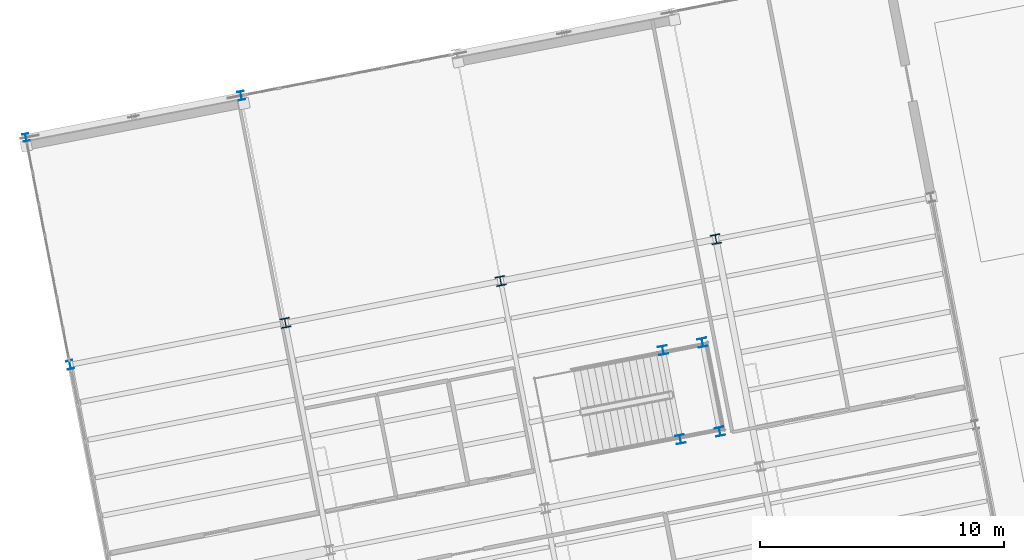
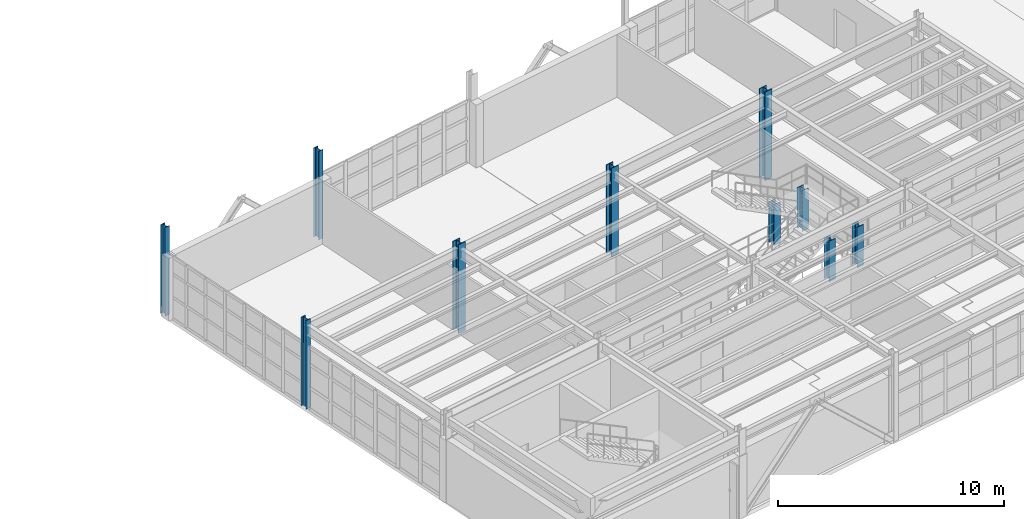
# One storey, part 2 of 109: 10 columns.
"""IFC4 building model written with IfcOpenShell, lengths in metres."""

from ifc_helpers import new_model, si_unit, direction, frame, origin, origin_2d, place, context, subcontext, project, spatial, i_section, extrude, material, material_profile, profile_set, type_object, element, save


model = new_model("IFC4")

# Units and contexts
model_context = context("Model", 3, precision=1e-05, world=origin(), true_north=direction((0.0, 1.0)))
body_context = subcontext(model_context, "Body", "Model", "MODEL_VIEW")
ifc_project = project(units=[si_unit("LENGTHUNIT", "METRE"), si_unit("AREAUNIT", "SQUARE_METRE"), si_unit("VOLUMEUNIT", "CUBIC_METRE"), si_unit("PLANEANGLEUNIT", "RADIAN"), si_unit("MASSUNIT", "GRAM", prefix="KILO")], contexts=[model_context])

# Site, building, storey
site_placement = place(None, origin())
site = spatial("IfcSite", under=ifc_project, at=site_placement, CompositionType="ELEMENT")
building_placement = place(site_placement, origin())
building = spatial("IfcBuilding", under=site, at=building_placement, Name="Vireo Bluff Cable Station", CompositionType="ELEMENT")
storey_placement = place(building_placement, frame((0.0, 0.0, 4.800048828125)))
storey = spatial("IfcBuildingStorey", under=building, at=storey_placement, Name="L01", CompositionType="ELEMENT", Elevation=4.800048828125)

# Columns
ifc_material = material(Name="Steel ASTM A992 Gr. 50", Category="steel")
ifc_material_profile_1 = material_profile(ifc_material, i_section(OverallWidth=0.39892578125, OverallDepth=0.385986328125, WebThickness=0.02099609375, FlangeThickness=0.033203125, FilletRadius=0.014892578125, at=origin_2d()), Name="W14X176")
ifc_profile_set_1 = profile_set([ifc_material_profile_1], Name="Steel ASTM A992 Gr. 50")
column_type_1 = type_object("IfcColumnType", Name="COL-W14X176", PredefinedType="COLUMN", material=ifc_profile_set_1)
column_1_placement = place(storey_placement, frame((23.5439453125, 27.58544921875, 0.0), z_axis=(0.0, 0.0, 1.0), x_axis=(0.981627183448, 0.190808995377, 0.0)))
element("IfcColumn", 1, at=column_1_placement, inside=storey, type_object=column_type_1, Name="V5 L01 column 359", PredefinedType="COLUMN", context=body_context, shape_type="SweptSolid", body=[
    extrude(i_section(OverallWidth=0.39892578125, OverallDepth=0.385986328125, WebThickness=0.02099609375, FlangeThickness=0.033203125, FilletRadius=0.014892578125, at=origin_2d()), origin(), (0.0, 0.0, 1.0), 4.800048828125),
])
ifc_material_profile_2 = material_profile(ifc_material, i_section(OverallWidth=0.40087890625, OverallDepth=0.39404296875, WebThickness=0.022705078125, FlangeThickness=0.03662109375, FilletRadius=0.014892578125, at=origin_2d()), Name="W14X193")
ifc_profile_set_2 = profile_set([ifc_material_profile_2], Name="Steel ASTM A992 Gr. 50")
column_type_2 = type_object("IfcColumnType", Name="COL-W14X193", PredefinedType="COLUMN", material=ifc_profile_set_2)
for number, where, z_axis, x_axis, name in (
    (2, (14.709228515625, 25.8681640625, 0.0), (0.0, 0.0, 1.0), (0.981627183448, 0.190808995377, 0.0), "V5 L01 column 348"),
    (3, (32.378662109375, 29.302734375, 0.0), (0.0, 0.0, 1.0), (0.981627183448, 0.190808995377, 0.0), "V5 L01 column 370"),
):
    element("IfcColumn", number, at=place(storey_placement, frame(where, z_axis=z_axis, x_axis=x_axis)), inside=storey, type_object=column_type_2, Name=name, PredefinedType="COLUMN", context=body_context, shape_type="SweptSolid", body=[
        extrude(i_section(OverallWidth=0.40087890625, OverallDepth=0.39404296875, WebThickness=0.022705078125, FlangeThickness=0.03662109375, FilletRadius=0.014892578125, at=origin_2d()), origin(), (0.0, 0.0, 1.0), 4.800048828125),
    ])
ifc_material_profile_3 = material_profile(ifc_material, i_section(OverallWidth=0.367919921875, OverallDepth=0.35595703125, WebThickness=0.01123046875, FlangeThickness=0.01806640625, FilletRadius=0.014892578125, at=origin_2d()), Name="W14X90")
ifc_profile_set_3 = profile_set([ifc_material_profile_3], Name="Steel ASTM A992 Gr. 50")
column_type_3 = type_object("IfcColumnType", Name="COL-W14X90", PredefinedType="COLUMN", material=ifc_profile_set_3)
for number, where, z_axis, x_axis, name in (
    (4, (30.918212890625, 21.09326171875, 0.0), (0.0, 0.0, 1.0), (0.981627183448, 0.190808995377, 0.0), "ST-07 L01 landing support column 1"),
    (5, (32.537841796875, 21.408203125, 0.0), (0.0, 0.0, 1.0), (0.981627183448, 0.190808995377, 0.0), "ST-07 L01 landing support column 2"),
    (6, (30.208251953125, 24.744873046875, 0.0), (0.0, 0.0, 1.0), (0.981627183448, 0.190808995377, 0.0), "ST-07 L01 landing support column 3"),
    (7, (31.828125, 25.059814453125, 0.0), (0.0, 0.0, 1.0), (0.981627183448, 0.190808995377, 0.0), "ST-07 L01 landing support column 4"),
):
    element("IfcColumn", number, at=place(storey_placement, frame(where, z_axis=z_axis, x_axis=x_axis)), inside=storey, type_object=column_type_3, Name=name, PredefinedType="COLUMN", context=body_context, shape_type="SweptSolid", body=[
        extrude(i_section(OverallWidth=0.367919921875, OverallDepth=0.35595703125, WebThickness=0.01123046875, FlangeThickness=0.01806640625, FilletRadius=0.014892578125, at=origin_2d()), origin(), (0.0, 0.0, 1.0), 2.199951171875),
    ])
ifc_material_profile_4 = material_profile(ifc_material, i_section(OverallWidth=0.257080078125, OverallDepth=0.363037109375, WebThickness=0.012939453125, FlangeThickness=0.021728515625, FilletRadius=0.014892578125, at=origin_2d()), Name="W14X82")
ifc_profile_set_4 = profile_set([ifc_material_profile_4], Name="Steel ASTM A992 Gr. 50")
column_type_4 = type_object("IfcColumnType", Name="ECOL-W14X82", PredefinedType="COLUMN", material=ifc_profile_set_4)
for number, where, z_axis, x_axis, name in (
    (8, (5.87451171875, 24.15087890625, 0.0), (0.0, 0.0, 1.0), (0.981627183448, 0.190808995377, 0.0), "V5 L01 column 337"),
    (9, (12.896484375, 35.193603515625, 0.0), (0.0, 0.0, 1.0), (0.981627183448, 0.190808995377, 0.0), "V5 L01 column 351"),
):
    element("IfcColumn", number, at=place(storey_placement, frame(where, z_axis=z_axis, x_axis=x_axis)), inside=storey, type_object=column_type_4, Name=name, PredefinedType="COLUMN", context=body_context, shape_type="SweptSolid", body=[
        extrude(i_section(OverallWidth=0.257080078125, OverallDepth=0.363037109375, WebThickness=0.012939453125, FlangeThickness=0.021728515625, FilletRadius=0.014892578125, at=origin_2d()), origin(), (0.0, 0.0, 1.0), 4.800048828125),
    ])
ifc_material_profile_5 = material_profile(ifc_material, i_section(OverallWidth=0.25390625, OverallDepth=0.31005859375, WebThickness=0.009033203125, FlangeThickness=0.016357421875, FilletRadius=0.010986328125, at=origin_2d()), Name="W12X58")
ifc_profile_set_5 = profile_set([ifc_material_profile_5], Name="Steel ASTM A992 Gr. 50")
column_type_5 = type_object("IfcColumnType", Name="PIL-W12X58", PredefinedType="PILASTER", material=ifc_profile_set_5)
column_2_placement = place(storey_placement, frame((4.06201171875, 33.476318359375, 0.0), z_axis=(0.0, 0.0, 1.0), x_axis=(0.981627183448, 0.190808995377, 0.0)))
element("IfcColumn", 10, at=column_2_placement, inside=storey, type_object=column_type_5, Name="V5 L01 column 340", PredefinedType="PILASTER", context=body_context, shape_type="SweptSolid", body=[
    extrude(i_section(OverallWidth=0.25390625, OverallDepth=0.31005859375, WebThickness=0.009033203125, FlangeThickness=0.016357421875, FilletRadius=0.010986328125, at=origin_2d()), origin(), (0.0, 0.0, 1.0), 4.800048828125),
])

save(model, "model.ifc")
